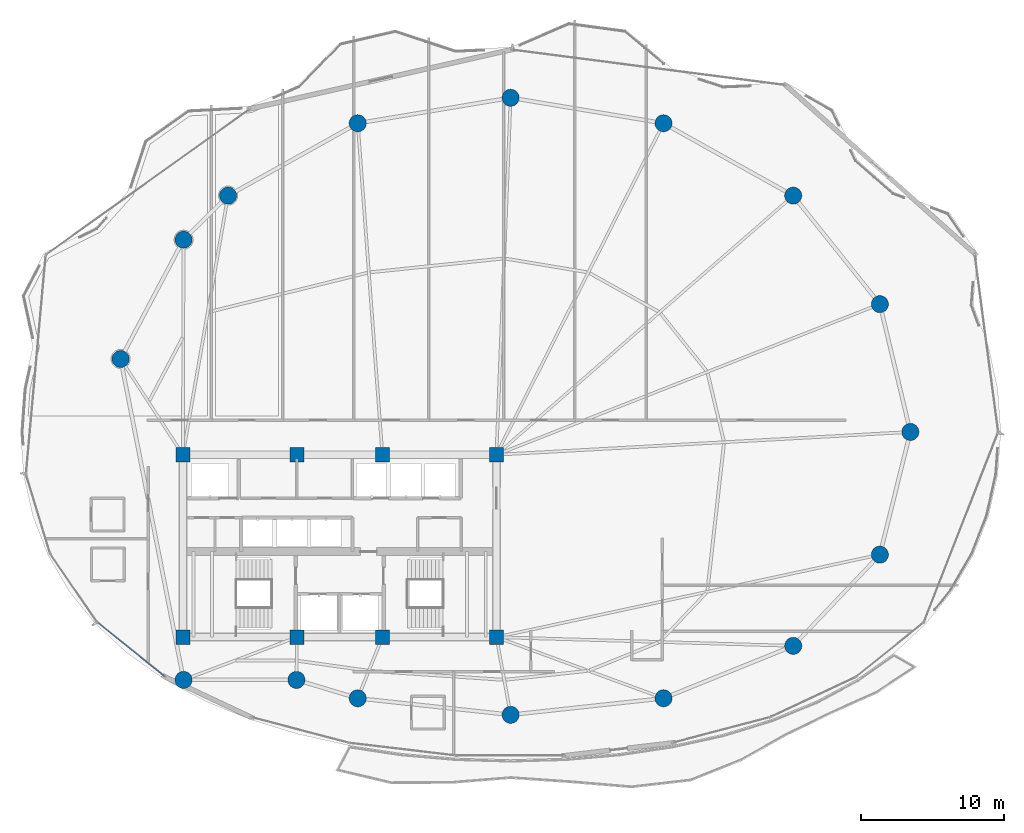
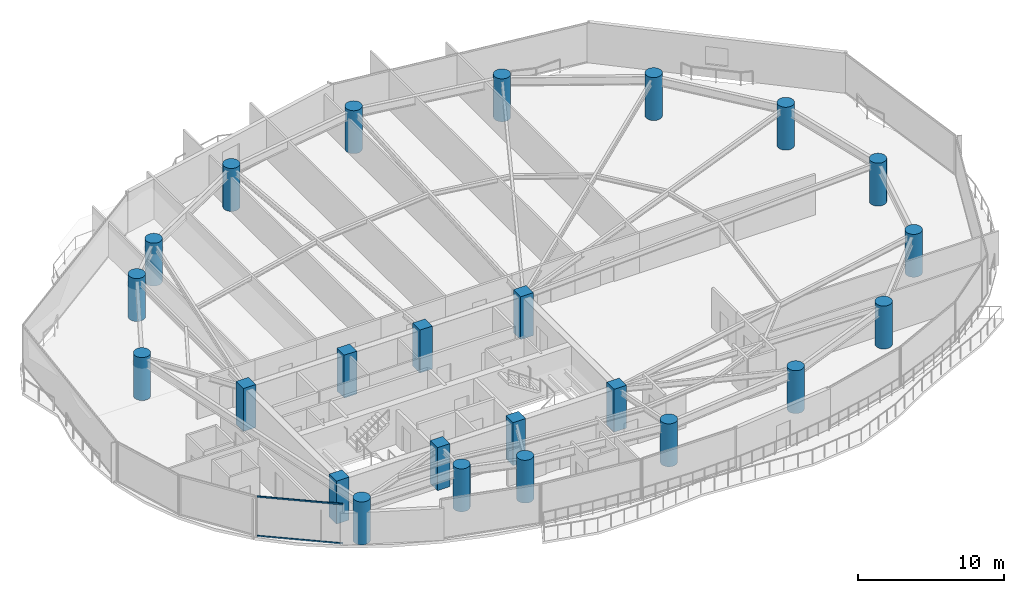
# One storey, part 1 of 33: 24 columns, 2 members, 1 element without a shape of its own.
"""IFC4 building model written with IfcOpenShell, lengths in metres."""

from ifc_helpers import new_model, si_unit, direction, frame, origin, origin_2d, place, context, subcontext, project, spatial, rectangle, hollow_rectangle, circle, extrude, material, layer, layer_set, material_profile, profile_set, type_object, element, aggregate, save


model = new_model("IFC4")

# Units and contexts
model_context = context("Model", 3, precision=1e-05, world=origin(), true_north=direction((0.0, 1.0)))
body_context = subcontext(model_context, "Body", "Model", "MODEL_VIEW")
ifc_project = project(units=[si_unit("LENGTHUNIT", "METRE"), si_unit("AREAUNIT", "SQUARE_METRE"), si_unit("VOLUMEUNIT", "CUBIC_METRE"), si_unit("PLANEANGLEUNIT", "RADIAN"), si_unit("MASSUNIT", "GRAM", prefix="KILO")], contexts=[model_context])

# Site, building, storey
site_placement = place(None, origin())
site = spatial("IfcSite", under=ifc_project, at=site_placement, CompositionType="ELEMENT")
building_placement = place(site_placement, origin())
building = spatial("IfcBuilding", under=site, at=building_placement, Name="Kazevale Care Tower and Concert Hall", CompositionType="ELEMENT")
storey_placement = place(building_placement, frame((0.0, 0.0, 149.39990234375)))
storey = spatial("IfcBuildingStorey", under=building, at=storey_placement, Name="L39", CompositionType="ELEMENT", Elevation=149.39990234375)

# Columns
ifc_material_1 = material(Name="Concrete C60", Category="concrete")
ifc_material_profile_1 = material_profile(ifc_material_1, rectangle(XDim=1.0, YDim=1.0, at=origin_2d()), Name="RC-SQ1000")
ifc_profile_set_1 = profile_set([ifc_material_profile_1], Name="Concrete C60")
column_type_1 = type_object("IfcColumnType", Name="Core Column SQ1000 C60", PredefinedType="COLUMN", material=ifc_profile_set_1)
for number, where, z_axis, x_axis, name in (
    (1, (22.0, 23.60009765625, 0.0), (0.0, 0.0, 1.0), (1.0, 0.0, 0.0), "col:L39:CC-01"),
    (2, (30.0, 23.60009765625, 0.0), (0.0, 0.0, 1.0), (1.0, 0.0, 0.0), "col:L39:CC-02"),
    (3, (36.0, 23.60009765625, 0.0), (0.0, 0.0, 1.0), (1.0, 0.0, 0.0), "col:L39:CC-03"),
    (4, (44.0, 23.60009765625, 0.0), (0.0, 0.0, 1.0), (1.0, 0.0, 0.0), "col:L39:CC-04"),
    (5, (44.0, 36.39990234375, 0.0), (0.0, 0.0, 1.0), (1.0, 0.0, 0.0), "col:L39:CC-05"),
    (6, (36.0, 36.39990234375, 0.0), (0.0, 0.0, 1.0), (1.0, 0.0, 0.0), "col:L39:CC-06"),
    (7, (30.0, 36.39990234375, 0.0), (0.0, 0.0, 1.0), (1.0, 0.0, 0.0), "col:L39:CC-07"),
    (8, (22.0, 36.39990234375, 0.0), (0.0, 0.0, 1.0), (1.0, 0.0, 0.0), "col:L39:CC-08"),
):
    element("IfcColumn", number, at=place(storey_placement, frame(where, z_axis=z_axis, x_axis=x_axis)), inside=storey, type_object=column_type_1, Name=name, PredefinedType="COLUMN", context=body_context, shape_type="SweptSolid", body=[
        extrude(rectangle(XDim=1.0, YDim=1.0, at=origin_2d()), origin(), (0.0, 0.0, 1.0), 3.60009765625),
    ])
ifc_material_profile_2 = material_profile(ifc_material_1, circle(Radius=0.60009765625, at=origin_2d()), Name="RC-CIR1200")
ifc_profile_set_2 = profile_set([ifc_material_profile_2], Name="Concrete C60")
column_type_2 = type_object("IfcColumnType", Name="Perimeter Column CIR1200 C60", PredefinedType="COLUMN", material=ifc_profile_set_2)
for number, where, z_axis, x_axis, name in (
    (9, (73.050048828125, 38.0, 0.0), (0.0, 0.0, 1.0), (1.0, 0.0, 0.0), "col:L39:PC-01"),
    (10, (70.909912109375, 46.969970703125, 0.0), (0.0, 0.0, 1.0), (1.0, 0.0, 0.0), "col:L39:PC-02"),
    (11, (64.830078125, 54.580078125, 0.0), (0.0, 0.0, 1.0), (1.0, 0.0, 0.0), "col:L39:PC-03"),
    (12, (55.72998046875, 59.659912109375, 0.0), (0.0, 0.0, 1.0), (1.0, 0.0, 0.0), "col:L39:PC-04"),
    (13, (45.0, 61.449951171875, 0.0), (0.0, 0.0, 1.0), (1.0, 0.0, 0.0), "col:L39:PC-05"),
    (14, (34.27001953125, 59.659912109375, 0.0), (0.0, 0.0, 1.0), (1.0, 0.0, 0.0), "col:L39:PC-06"),
    (15, (25.169921875, 54.580078125, 0.0), (0.0, 0.0, 1.0), (1.0, 0.0, 0.0), "col:L39:PC-07"),
    (16, (22.050048828125, 51.489990234375, 0.0), (0.0, 0.0, 1.0), (1.0, 0.0, 0.0), "col:L39:PC-08"),
    (17, (17.6298828125, 43.1201171875, 0.0), (0.0, 0.0, 1.0), (1.0, 0.0, 0.0), "col:L39:PC-09"),
    (18, (22.050048828125, 20.60009765625, 0.0), (0.0, 0.0, 1.0), (1.0, 0.0, 0.0), "col:L39:PC-10"),
    (19, (29.969970703125, 20.60009765625, 0.0), (0.0, 0.0, 1.0), (1.0, 0.0, 0.0), "col:L39:PC-11"),
    (20, (34.27001953125, 19.31005859375, 0.0), (0.0, 0.0, 1.0), (1.0, 0.0, 0.0), "col:L39:PC-12"),
    (21, (45.0, 18.14990234375, 0.0), (0.0, 0.0, 1.0), (1.0, 0.0, 0.0), "col:L39:PC-13"),
    (22, (55.72998046875, 19.31005859375, 0.0), (0.0, 0.0, 1.0), (1.0, 0.0, 0.0), "col:L39:PC-14"),
    (23, (64.830078125, 22.989990234375, 0.0), (0.0, 0.0, 1.0), (1.0, 0.0, 0.0), "col:L39:PC-15"),
    (24, (70.909912109375, 29.389892578125, 0.0), (0.0, 0.0, 1.0), (1.0, 0.0, 0.0), "col:L39:PC-16"),
):
    element("IfcColumn", number, at=place(storey_placement, frame(where, z_axis=z_axis, x_axis=x_axis)), inside=storey, type_object=column_type_2, Name=name, PredefinedType="COLUMN", context=body_context, shape_type="SweptSolid", body=[
        extrude(circle(Radius=0.60009765625, at=origin_2d()), origin(), (0.0, 0.0, 1.0), 3.60009765625),
    ])

# Curtain wall, members
ifc_material_2 = material(Name="Aluminium 6063-T6 and Low-E Glass", Category="aluminium")
ifc_layer = layer(ifc_material_2, 0.179931640625)
ifc_layer_set = layer_set([ifc_layer], Name="Aluminium 6063-T6 and Low-E Glass")
curtain_wall_type = type_object("IfcCurtainWallType", Name="Sheltered Concave Balcony Curtain Wall CW-5", PredefinedType="NOTDEFINED", material=ifc_layer_set)
curtain_wall_placement = place(storey_placement, origin())
curtain_wall = element("IfcCurtainWall", 25, at=curtain_wall_placement, inside=storey, type_object=curtain_wall_type, Name="cw:L39:f10", PredefinedType="NOTDEFINED")
ifc_material_3 = material(Name="Aluminium 6063-T6", Category="aluminium")
ifc_material_profile_3 = material_profile(ifc_material_3, hollow_rectangle(XDim=0.074951171875, YDim=0.1201171875, WallThickness=0.00390625, at=origin_2d()), Name="ALU75x120x4")
ifc_profile_set_3 = profile_set([ifc_material_profile_3], Name="Aluminium 6063-T6")
member_type = type_object("IfcMemberType", Name="CW-5 Transom ALU75x120x4", PredefinedType="USERDEFINED", material=ifc_profile_set_3)
member_1_placement = place(storey_placement, frame((20.711669921875, 20.85009765625, 0.03759765625), z_axis=(-0.779097461373, 0.626902819966, 0.0), x_axis=(-0.626902819966, -0.779097461373, 0.0)))
member_1 = element("IfcMember", 26, at=member_1_placement, type_object=member_type, Name="CW-5 transom 1.1", ObjectType="TRANSOM", PredefinedType="USERDEFINED", context=body_context, shape_type="SweptSolid", body=[
    extrude(hollow_rectangle(XDim=0.074951171875, YDim=0.1201171875, WallThickness=0.00390625, at=origin_2d()), origin(), (0.0, 0.0, 1.0), 5.96728515625),
])
member_2_placement = place(storey_placement, frame((20.711669921875, 20.85009765625, 3.322509765625), z_axis=(-0.779097461373, 0.626902819966, 0.0), x_axis=(-0.626902819966, -0.779097461373, 0.0)))
member_2 = element("IfcMember", 27, at=member_2_placement, type_object=member_type, Name="CW-5 transom 1.2", ObjectType="TRANSOM", PredefinedType="USERDEFINED", context=body_context, shape_type="SweptSolid", body=[
    extrude(hollow_rectangle(XDim=0.074951171875, YDim=0.1201171875, WallThickness=0.00390625, at=origin_2d()), origin(), (0.0, 0.0, 1.0), 5.96728515625),
])
aggregate(curtain_wall, [member_1, member_2])

save(model, "model.ifc")
